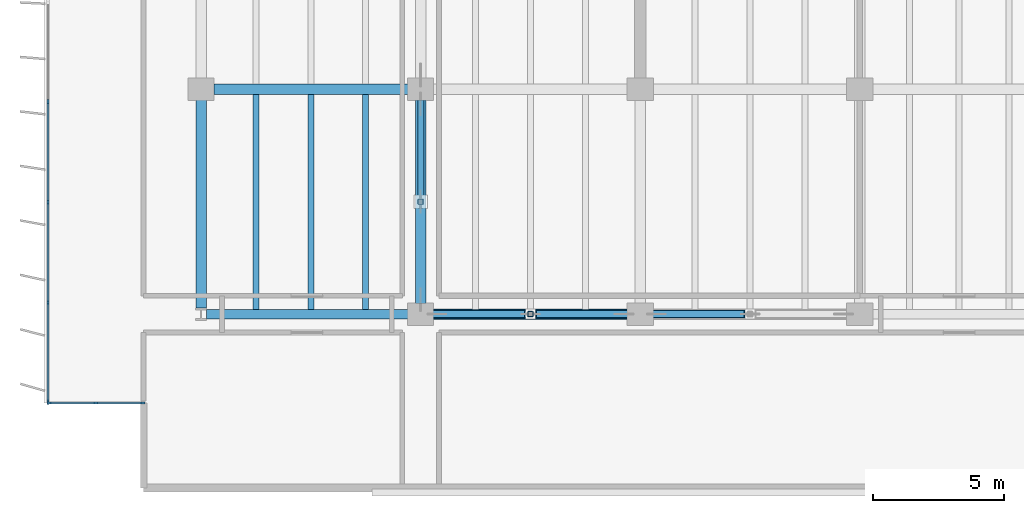
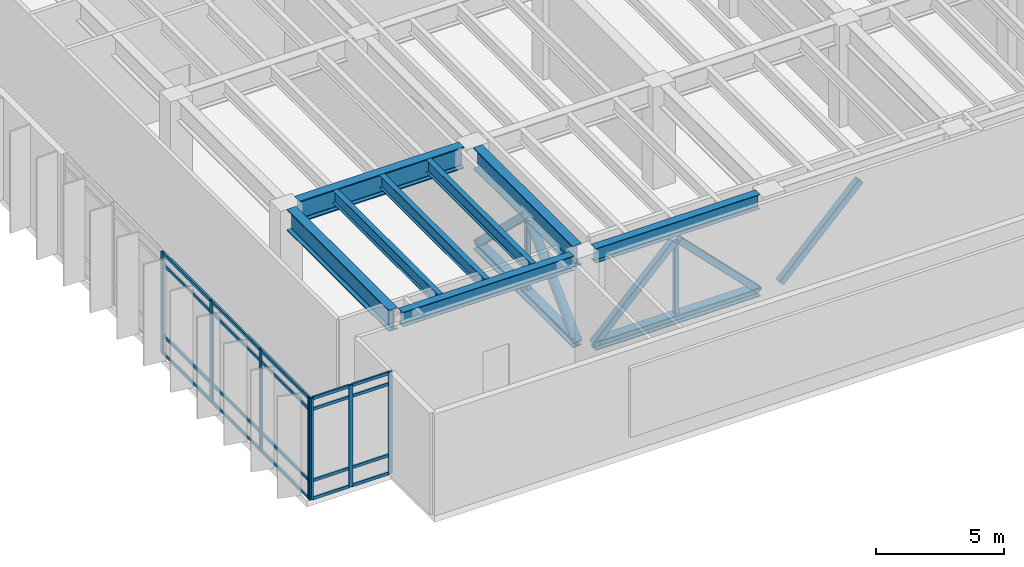
# One storey, part 2 of 18: 34 members, 10 beams, 2 elements without a shape of their own.
"""IFC4 building model written with IfcOpenShell, lengths in metres."""

from ifc_helpers import new_model, si_unit, direction, frame, origin, origin_2d, place, context, subcontext, project, spatial, rectangle, hollow_rectangle, hollow_circle, i_section, extrude, material, layer, layer_set, material_profile, profile_set, type_object, element, aggregate, save


model = new_model("IFC4")

# Units and contexts
model_context = context("Model", 3, precision=1e-05, world=origin(), true_north=direction((0.0, 1.0)))
body_context = subcontext(model_context, "Body", "Model", "MODEL_VIEW")
ifc_project = project(units=[si_unit("LENGTHUNIT", "METRE"), si_unit("AREAUNIT", "SQUARE_METRE"), si_unit("VOLUMEUNIT", "CUBIC_METRE"), si_unit("PLANEANGLEUNIT", "RADIAN"), si_unit("MASSUNIT", "GRAM", prefix="KILO")], contexts=[model_context])

# Site, building, storey
site_placement = place(None, origin())
site = spatial("IfcSite", under=ifc_project, at=site_placement, CompositionType="ELEMENT")
building_placement = place(site_placement, origin())
building = spatial("IfcBuilding", under=site, at=building_placement, Name="Caelmar Bay Residences", CompositionType="ELEMENT")
storey_placement = place(building_placement, frame((0.0, 0.0, 152.10009765625)))
storey = spatial("IfcBuildingStorey", under=building, at=storey_placement, Name="L42", CompositionType="ELEMENT", Elevation=152.10009765625)

# Beams
ifc_material_1 = material(Name="Steel ASTM A992 Grade 50", Category="steel")
ifc_material_profile_1 = material_profile(ifc_material_1, i_section(OverallWidth=0.40087890625, OverallDepth=0.39892578125, WebThickness=0.02490234375, FlangeThickness=0.03955078125, FilletRadius=0.01513671875, at=origin_2d()), Name="W14X211")
ifc_profile_set_1 = profile_set([ifc_material_profile_1], Name="Steel ASTM A992 Grade 50")
beam_type_1 = type_object("IfcBeamType", Name="BM-CHD-W14X211", PredefinedType="BEAM", material=ifc_profile_set_1)
beam_1_placement = place(storey_placement, frame((18.300048828125, 12.614990234375, 0.199462890625), z_axis=(0.0, 1.0, 0.0), x_axis=(-1.0, 0.0, 0.0)))
element("IfcBeam", 1, at=beam_1_placement, inside=storey, type_object=beam_type_1, Name="L42 Outrigger Bottom Chord 1", PredefinedType="BEAM", context=body_context, shape_type="SweptSolid", body=[
    extrude(i_section(OverallWidth=0.40087890625, OverallDepth=0.39892578125, WebThickness=0.02490234375, FlangeThickness=0.03955078125, FilletRadius=0.01513671875, at=origin_2d()), origin(), (0.0, 0.0, 1.0), 7.77001953125),
])
beam_2_placement = place(storey_placement, frame((18.7900390625, 12.199951171875, 0.199462890625), z_axis=(1.0, 0.0, 0.0), x_axis=(0.0, 1.0, 0.0)))
element("IfcBeam", 2, at=beam_2_placement, inside=storey, type_object=beam_type_1, Name="L42 Belt-Truss Bottom Chord 1", PredefinedType="BEAM", context=body_context, shape_type="SweptSolid", body=[
    extrude(i_section(OverallWidth=0.40087890625, OverallDepth=0.39892578125, WebThickness=0.02490234375, FlangeThickness=0.03955078125, FilletRadius=0.01513671875, at=origin_2d()), origin(), (0.0, 0.0, 1.0), 7.419921875),
])
ifc_material_profile_2 = material_profile(ifc_material_1, i_section(OverallWidth=0.404052734375, OverallDepth=1.02099609375, WebThickness=0.025390625, FlangeThickness=0.0458984375, FilletRadius=0.02294921875, at=origin_2d()), Name="W40X324")
ifc_profile_set_2 = profile_set([ifc_material_profile_2], Name="Steel ASTM A992 Grade 50")
beam_type_2 = type_object("IfcBeamType", Name="BM-GRD-W40X324", PredefinedType="BEAM", material=ifc_profile_set_2)
beam_3_placement = place(storey_placement, frame((10.389892578125, 20.800048828125, 4.33935546875), z_axis=(1.0, 0.0, 0.0), x_axis=(0.0, 1.0, 0.0)))
element("IfcBeam", 3, at=beam_3_placement, inside=storey, type_object=beam_type_2, Name="L42 East-West Girder Y=20.80 (9.9-18.3)", PredefinedType="BEAM", context=body_context, shape_type="SweptSolid", body=[
    extrude(i_section(OverallWidth=0.404052734375, OverallDepth=1.02099609375, WebThickness=0.025390625, FlangeThickness=0.0458984375, FilletRadius=0.02294921875, at=origin_2d()), origin(), (0.0, 0.0, 1.0), 7.420166015625),
])
beam_4_placement = place(storey_placement, frame((9.89990234375, 12.427490234375, 4.33935546875), z_axis=(0.0, 1.0, 0.0), x_axis=(-1.0, 0.0, 0.0)))
element("IfcBeam", 4, at=beam_4_placement, inside=storey, type_object=beam_type_2, Name="L42 North-South Girder X=9.90 (12.2-20.8)", PredefinedType="BEAM", context=body_context, shape_type="SweptSolid", body=[
    extrude(i_section(OverallWidth=0.404052734375, OverallDepth=1.02099609375, WebThickness=0.025390625, FlangeThickness=0.0458984375, FilletRadius=0.02294921875, at=origin_2d()), origin(), (0.0, 0.0, 1.0), 7.95751953125),
])
beam_5_placement = place(storey_placement, frame((18.300048828125, 12.614990234375, 4.33935546875), z_axis=(0.0, 1.0, 0.0), x_axis=(-1.0, 0.0, 0.0)))
element("IfcBeam", 5, at=beam_5_placement, inside=storey, type_object=beam_type_2, Name="L42 North-South Girder X=18.30 (12.2-20.8)", PredefinedType="BEAM", context=body_context, shape_type="SweptSolid", body=[
    extrude(i_section(OverallWidth=0.404052734375, OverallDepth=1.02099609375, WebThickness=0.025390625, FlangeThickness=0.0458984375, FilletRadius=0.02294921875, at=origin_2d()), origin(), (0.0, 0.0, 1.0), 7.77001953125),
])
ifc_material_profile_3 = material_profile(ifc_material_1, i_section(OverallWidth=0.22900390625, OverallDepth=0.612060546875, WebThickness=0.011962890625, FlangeThickness=0.01953125, FilletRadius=0.0126953125, at=origin_2d()), Name="W24X84")
ifc_profile_set_3 = profile_set([ifc_material_profile_3], Name="Steel ASTM A992 Grade 50")
beam_type_3 = type_object("IfcBeamType", Name="BM-JST-W24X84", PredefinedType="JOIST", material=ifc_profile_set_3)
for number, where, z_axis, x_axis, name in (
    (6, (12.0, 12.3779296875, 4.5439453125), (0.0, 1.0, 0.0), (-1.0, 0.0, 0.0), "L42 Composite Floor Joist 1"),
    (7, (14.10009765625, 12.3779296875, 4.5439453125), (0.0, 1.0, 0.0), (-1.0, 0.0, 0.0), "L42 Composite Floor Joist 2"),
    (8, (16.199951171875, 12.3779296875, 4.5439453125), (0.0, 1.0, 0.0), (-1.0, 0.0, 0.0), "L42 Composite Floor Joist 3"),
):
    element("IfcBeam", number, at=place(storey_placement, frame(where, z_axis=z_axis, x_axis=x_axis)), inside=storey, type_object=beam_type_3, Name=name, PredefinedType="JOIST", context=body_context, shape_type="SweptSolid", body=[
        extrude(i_section(OverallWidth=0.22900390625, OverallDepth=0.612060546875, WebThickness=0.011962890625, FlangeThickness=0.01953125, FilletRadius=0.0126953125, at=origin_2d()), origin(), (0.0, 0.0, 1.0), 8.219970703125),
    ])
ifc_material_profile_4 = material_profile(ifc_material_1, i_section(OverallWidth=0.35595703125, OverallDepth=0.696044921875, WebThickness=0.015380859375, FlangeThickness=0.02490234375, FilletRadius=0.01513671875, at=origin_2d()), Name="W27X146")
ifc_profile_set_4 = profile_set([ifc_material_profile_4], Name="Steel ASTM A992 Grade 50")
beam_type_4 = type_object("IfcBeamType", Name="BM-SPN-W27X146", PredefinedType="SPANDREL", material=ifc_profile_set_4)
beam_6_placement = place(storey_placement, frame((10.10205078125, 12.199951171875, 4.501953125), z_axis=(1.0, 0.0, 0.0), x_axis=(0.0, 1.0, 0.0)))
element("IfcBeam", 9, at=beam_6_placement, inside=storey, type_object=beam_type_4, Name="L42 East-West Girder Y=12.20 (9.9-18.3)", PredefinedType="SPANDREL", context=body_context, shape_type="SweptSolid", body=[
    extrude(i_section(OverallWidth=0.35595703125, OverallDepth=0.696044921875, WebThickness=0.015380859375, FlangeThickness=0.02490234375, FilletRadius=0.01513671875, at=origin_2d()), origin(), (0.0, 0.0, 1.0), 7.7080078125),
])
beam_7_placement = place(storey_placement, frame((18.7900390625, 12.199951171875, 4.501953125), z_axis=(1.0, 0.0, 0.0), x_axis=(0.0, 1.0, 0.0)))
element("IfcBeam", 10, at=beam_7_placement, inside=storey, type_object=beam_type_4, Name="L42 East-West Girder Y=12.20 (18.3-26.7)", PredefinedType="SPANDREL", context=body_context, shape_type="SweptSolid", body=[
    extrude(i_section(OverallWidth=0.35595703125, OverallDepth=0.696044921875, WebThickness=0.015380859375, FlangeThickness=0.02490234375, FilletRadius=0.01513671875, at=origin_2d()), origin(), (0.0, 0.0, 1.0), 7.419921875),
])

# Curtain wall, members
ifc_material_2 = material(Name="Anodised bronze aluminium 6063-T6 and laminated glass", Category="aluminium")
ifc_layer_1 = layer(ifc_material_2, 0.179931640625)
ifc_layer_set_1 = layer_set([ifc_layer_1], Name="Anodised bronze aluminium 6063-T6 and laminated glass")
curtain_wall_type_1 = type_object("IfcCurtainWallType", Name="CW6-NTC", PredefinedType="NOTDEFINED", material=ifc_layer_set_1)
curtain_wall_1_placement = place(storey_placement, origin())
curtain_wall_1 = element("IfcCurtainWall", 11, at=curtain_wall_1_placement, inside=storey, type_object=curtain_wall_type_1, Name="CW6 curtain wall L42", PredefinedType="NOTDEFINED")
ifc_material_3 = material(Name="Anodised bronze aluminium 6063-T6", Category="aluminium")
ifc_material_profile_5 = material_profile(ifc_material_3, rectangle(XDim=0.080078125, YDim=0.179931640625, at=origin_2d()), Name="CWM-80X180")
ifc_profile_set_5 = profile_set([ifc_material_profile_5], Name="Anodised bronze aluminium 6063-T6")
member_type_1 = type_object("IfcMemberType", Name="CWM-180", PredefinedType="MULLION", material=ifc_profile_set_5)
member_1_placement = place(storey_placement, frame((4.090087890625, 8.800048828125, 0.0), z_axis=(0.0, 0.0, 1.0), x_axis=(0.0, 1.0, 0.0)))
member_1 = element("IfcMember", 12, at=member_1_placement, type_object=member_type_1, Name="CW6 mullion 1", PredefinedType="MULLION", context=body_context, shape_type="SweptSolid", body=[
    extrude(rectangle(XDim=0.080078125, YDim=0.179931640625, at=origin_2d()), origin(), (0.0, 0.0, 1.0), 4.849853515625),
])
member_2_placement = place(storey_placement, frame((5.875, 8.800048828125, 0.0), z_axis=(0.0, 0.0, 1.0), x_axis=(0.0, 1.0, 0.0)))
member_2 = element("IfcMember", 13, at=member_2_placement, type_object=member_type_1, Name="CW6 mullion 2", PredefinedType="MULLION", context=body_context, shape_type="SweptSolid", body=[
    extrude(rectangle(XDim=0.080078125, YDim=0.179931640625, at=origin_2d()), origin(), (0.0, 0.0, 1.0), 4.849853515625),
])
member_3_placement = place(storey_placement, frame((7.659912109375, 8.800048828125, 0.0), z_axis=(0.0, 0.0, 1.0), x_axis=(0.0, 1.0, 0.0)))
member_3 = element("IfcMember", 14, at=member_3_placement, type_object=member_type_1, Name="CW6 mullion 3", PredefinedType="MULLION", context=body_context, shape_type="SweptSolid", body=[
    extrude(rectangle(XDim=0.080078125, YDim=0.179931640625, at=origin_2d()), origin(), (0.0, 0.0, 1.0), 4.849853515625),
])

ifc_layer_2 = layer(ifc_material_2, 0.179931640625)
ifc_layer_set_2 = layer_set([ifc_layer_2], Name="Anodised bronze aluminium 6063-T6 and laminated glass")
curtain_wall_type_2 = type_object("IfcCurtainWallType", Name="CW3-Z2", PredefinedType="NOTDEFINED", material=ifc_layer_set_2)
curtain_wall_2_placement = place(storey_placement, origin())
curtain_wall_2 = element("IfcCurtainWall", 15, at=curtain_wall_2_placement, inside=storey, type_object=curtain_wall_type_2, Name="CW3 curtain wall L42", PredefinedType="NOTDEFINED")
member_4_placement = place(storey_placement, frame((4.050048828125, 8.840087890625, 0.0), z_axis=(0.0, 0.0, 1.0), x_axis=(-1.0, 0.0, 0.0)))
member_4 = element("IfcMember", 16, at=member_4_placement, type_object=member_type_1, Name="CW3 mullion 1", PredefinedType="MULLION", context=body_context, shape_type="SweptSolid", body=[
    extrude(rectangle(XDim=0.080078125, YDim=0.179931640625, at=origin_2d()), origin(), (0.0, 0.0, 1.0), 4.849853515625),
])
member_5_placement = place(storey_placement, frame((4.050048828125, 12.639892578125, 0.0), z_axis=(0.0, 0.0, 1.0), x_axis=(-1.0, 0.0, 0.0)))
member_5 = element("IfcMember", 17, at=member_5_placement, type_object=member_type_1, Name="CW3 mullion 2", PredefinedType="MULLION", context=body_context, shape_type="SweptSolid", body=[
    extrude(rectangle(XDim=0.080078125, YDim=0.179931640625, at=origin_2d()), origin(), (0.0, 0.0, 1.0), 4.849853515625),
])
member_6_placement = place(storey_placement, frame((4.050048828125, 16.47998046875, 0.0), z_axis=(0.0, 0.0, 1.0), x_axis=(-1.0, 0.0, 0.0)))
member_6 = element("IfcMember", 18, at=member_6_placement, type_object=member_type_1, Name="CW3 mullion 3", PredefinedType="MULLION", context=body_context, shape_type="SweptSolid", body=[
    extrude(rectangle(XDim=0.080078125, YDim=0.179931640625, at=origin_2d()), origin(), (0.0, 0.0, 1.0), 4.849853515625),
])
member_7_placement = place(storey_placement, frame((4.050048828125, 20.320068359375, 0.0), z_axis=(0.0, 0.0, 1.0), x_axis=(-1.0, 0.0, 0.0)))
member_7 = element("IfcMember", 19, at=member_7_placement, type_object=member_type_1, Name="CW3 mullion 4", PredefinedType="MULLION", context=body_context, shape_type="SweptSolid", body=[
    extrude(rectangle(XDim=0.080078125, YDim=0.179931640625, at=origin_2d()), origin(), (0.0, 0.0, 1.0), 4.849853515625),
])

# Member
ifc_material_profile_6 = material_profile(ifc_material_3, rectangle(XDim=0.080078125, YDim=0.139892578125, at=origin_2d()), Name="CWT-80X140")
ifc_profile_set_6 = profile_set([ifc_material_profile_6], Name="Anodised bronze aluminium 6063-T6")
member_type_2 = type_object("IfcMemberType", Name="CWT-140", PredefinedType="NOTDEFINED", material=ifc_profile_set_6)
member_8_placement = place(storey_placement, frame((4.1298828125, 8.800048828125, 0.039794921875), z_axis=(1.0, 0.0, 0.0), x_axis=(0.0, 1.0, 0.0)))
member_8 = element("IfcMember", 20, at=member_8_placement, type_object=member_type_2, Name="CW6 transom 1.1", ObjectType="TRANSOM", PredefinedType="USERDEFINED", context=body_context, shape_type="SweptSolid", body=[
    extrude(rectangle(XDim=0.080078125, YDim=0.139892578125, at=origin_2d()), origin(), (0.0, 0.0, 1.0), 1.705078125),
])

member_9_placement = place(storey_placement, frame((4.1298828125, 8.800048828125, 0.89990234375), z_axis=(1.0, 0.0, 0.0), x_axis=(0.0, 1.0, 0.0)))
member_9 = element("IfcMember", 21, at=member_9_placement, type_object=member_type_2, Name="CW6 transom 1.2", ObjectType="TRANSOM", PredefinedType="USERDEFINED", context=body_context, shape_type="SweptSolid", body=[
    extrude(rectangle(XDim=0.080078125, YDim=0.139892578125, at=origin_2d()), origin(), (0.0, 0.0, 1.0), 1.705078125),
])

member_10_placement = place(storey_placement, frame((4.1298828125, 8.800048828125, 4.2998046875), z_axis=(1.0, 0.0, 0.0), x_axis=(0.0, 1.0, 0.0)))
member_10 = element("IfcMember", 22, at=member_10_placement, type_object=member_type_2, Name="CW6 transom 1.3", ObjectType="TRANSOM", PredefinedType="USERDEFINED", context=body_context, shape_type="SweptSolid", body=[
    extrude(rectangle(XDim=0.080078125, YDim=0.139892578125, at=origin_2d()), origin(), (0.0, 0.0, 1.0), 1.705078125),
])

member_11_placement = place(storey_placement, frame((4.1298828125, 8.800048828125, 4.809814453125), z_axis=(1.0, 0.0, 0.0), x_axis=(0.0, 1.0, 0.0)))
member_11 = element("IfcMember", 23, at=member_11_placement, type_object=member_type_2, Name="CW6 transom 1.4", ObjectType="TRANSOM", PredefinedType="USERDEFINED", context=body_context, shape_type="SweptSolid", body=[
    extrude(rectangle(XDim=0.080078125, YDim=0.139892578125, at=origin_2d()), origin(), (0.0, 0.0, 1.0), 1.705078125),
])

member_12_placement = place(storey_placement, frame((5.9150390625, 8.800048828125, 0.039794921875), z_axis=(1.0, 0.0, 0.0), x_axis=(0.0, 1.0, 0.0)))
member_12 = element("IfcMember", 24, at=member_12_placement, type_object=member_type_2, Name="CW6 transom 2.1", ObjectType="TRANSOM", PredefinedType="USERDEFINED", context=body_context, shape_type="SweptSolid", body=[
    extrude(rectangle(XDim=0.080078125, YDim=0.139892578125, at=origin_2d()), origin(), (0.0, 0.0, 1.0), 1.705078125),
])

member_13_placement = place(storey_placement, frame((5.9150390625, 8.800048828125, 0.89990234375), z_axis=(1.0, 0.0, 0.0), x_axis=(0.0, 1.0, 0.0)))
member_13 = element("IfcMember", 25, at=member_13_placement, type_object=member_type_2, Name="CW6 transom 2.2", ObjectType="TRANSOM", PredefinedType="USERDEFINED", context=body_context, shape_type="SweptSolid", body=[
    extrude(rectangle(XDim=0.080078125, YDim=0.139892578125, at=origin_2d()), origin(), (0.0, 0.0, 1.0), 1.705078125),
])

member_14_placement = place(storey_placement, frame((5.9150390625, 8.800048828125, 4.2998046875), z_axis=(1.0, 0.0, 0.0), x_axis=(0.0, 1.0, 0.0)))
member_14 = element("IfcMember", 26, at=member_14_placement, type_object=member_type_2, Name="CW6 transom 2.3", ObjectType="TRANSOM", PredefinedType="USERDEFINED", context=body_context, shape_type="SweptSolid", body=[
    extrude(rectangle(XDim=0.080078125, YDim=0.139892578125, at=origin_2d()), origin(), (0.0, 0.0, 1.0), 1.705078125),
])

member_15_placement = place(storey_placement, frame((5.9150390625, 8.800048828125, 4.809814453125), z_axis=(1.0, 0.0, 0.0), x_axis=(0.0, 1.0, 0.0)))
member_15 = element("IfcMember", 27, at=member_15_placement, type_object=member_type_2, Name="CW6 transom 2.4", ObjectType="TRANSOM", PredefinedType="USERDEFINED", context=body_context, shape_type="SweptSolid", body=[
    extrude(rectangle(XDim=0.080078125, YDim=0.139892578125, at=origin_2d()), origin(), (0.0, 0.0, 1.0), 1.705078125),
])

aggregate(curtain_wall_1, [member_1, member_2, member_3, member_8, member_9, member_10, member_11, member_12, member_13, member_14, member_15])

member_16_placement = place(storey_placement, frame((4.050048828125, 8.8798828125, 0.039794921875), z_axis=(0.0, 1.0, 0.0), x_axis=(-1.0, 0.0, 0.0)))
member_16 = element("IfcMember", 28, at=member_16_placement, type_object=member_type_2, Name="CW3 transom 1.1", ObjectType="TRANSOM", PredefinedType="USERDEFINED", context=body_context, shape_type="SweptSolid", body=[
    extrude(rectangle(XDim=0.080078125, YDim=0.139892578125, at=origin_2d()), origin(), (0.0, 0.0, 1.0), 3.72021484375),
])

member_17_placement = place(storey_placement, frame((4.050048828125, 8.8798828125, 0.89990234375), z_axis=(0.0, 1.0, 0.0), x_axis=(-1.0, 0.0, 0.0)))
member_17 = element("IfcMember", 29, at=member_17_placement, type_object=member_type_2, Name="CW3 transom 1.2", ObjectType="TRANSOM", PredefinedType="USERDEFINED", context=body_context, shape_type="SweptSolid", body=[
    extrude(rectangle(XDim=0.080078125, YDim=0.139892578125, at=origin_2d()), origin(), (0.0, 0.0, 1.0), 3.72021484375),
])

member_18_placement = place(storey_placement, frame((4.050048828125, 8.8798828125, 4.2998046875), z_axis=(0.0, 1.0, 0.0), x_axis=(-1.0, 0.0, 0.0)))
member_18 = element("IfcMember", 30, at=member_18_placement, type_object=member_type_2, Name="CW3 transom 1.3", ObjectType="TRANSOM", PredefinedType="USERDEFINED", context=body_context, shape_type="SweptSolid", body=[
    extrude(rectangle(XDim=0.080078125, YDim=0.139892578125, at=origin_2d()), origin(), (0.0, 0.0, 1.0), 3.72021484375),
])

member_19_placement = place(storey_placement, frame((4.050048828125, 8.8798828125, 4.809814453125), z_axis=(0.0, 1.0, 0.0), x_axis=(-1.0, 0.0, 0.0)))
member_19 = element("IfcMember", 31, at=member_19_placement, type_object=member_type_2, Name="CW3 transom 1.4", ObjectType="TRANSOM", PredefinedType="USERDEFINED", context=body_context, shape_type="SweptSolid", body=[
    extrude(rectangle(XDim=0.080078125, YDim=0.139892578125, at=origin_2d()), origin(), (0.0, 0.0, 1.0), 3.72021484375),
])

member_20_placement = place(storey_placement, frame((4.050048828125, 12.679931640625, 0.039794921875), z_axis=(0.0, 1.0, 0.0), x_axis=(-1.0, 0.0, 0.0)))
member_20 = element("IfcMember", 32, at=member_20_placement, type_object=member_type_2, Name="CW3 transom 2.1", ObjectType="TRANSOM", PredefinedType="USERDEFINED", context=body_context, shape_type="SweptSolid", body=[
    extrude(rectangle(XDim=0.080078125, YDim=0.139892578125, at=origin_2d()), origin(), (0.0, 0.0, 1.0), 3.760009765625),
])

member_21_placement = place(storey_placement, frame((4.050048828125, 12.679931640625, 0.89990234375), z_axis=(0.0, 1.0, 0.0), x_axis=(-1.0, 0.0, 0.0)))
member_21 = element("IfcMember", 33, at=member_21_placement, type_object=member_type_2, Name="CW3 transom 2.2", ObjectType="TRANSOM", PredefinedType="USERDEFINED", context=body_context, shape_type="SweptSolid", body=[
    extrude(rectangle(XDim=0.080078125, YDim=0.139892578125, at=origin_2d()), origin(), (0.0, 0.0, 1.0), 3.760009765625),
])

member_22_placement = place(storey_placement, frame((4.050048828125, 12.679931640625, 4.2998046875), z_axis=(0.0, 1.0, 0.0), x_axis=(-1.0, 0.0, 0.0)))
member_22 = element("IfcMember", 34, at=member_22_placement, type_object=member_type_2, Name="CW3 transom 2.3", ObjectType="TRANSOM", PredefinedType="USERDEFINED", context=body_context, shape_type="SweptSolid", body=[
    extrude(rectangle(XDim=0.080078125, YDim=0.139892578125, at=origin_2d()), origin(), (0.0, 0.0, 1.0), 3.760009765625),
])

member_23_placement = place(storey_placement, frame((4.050048828125, 12.679931640625, 4.809814453125), z_axis=(0.0, 1.0, 0.0), x_axis=(-1.0, 0.0, 0.0)))
member_23 = element("IfcMember", 35, at=member_23_placement, type_object=member_type_2, Name="CW3 transom 2.4", ObjectType="TRANSOM", PredefinedType="USERDEFINED", context=body_context, shape_type="SweptSolid", body=[
    extrude(rectangle(XDim=0.080078125, YDim=0.139892578125, at=origin_2d()), origin(), (0.0, 0.0, 1.0), 3.760009765625),
])

member_24_placement = place(storey_placement, frame((4.050048828125, 16.52001953125, 0.039794921875), z_axis=(0.0, 1.0, 0.0), x_axis=(-1.0, 0.0, 0.0)))
member_24 = element("IfcMember", 36, at=member_24_placement, type_object=member_type_2, Name="CW3 transom 3.1", ObjectType="TRANSOM", PredefinedType="USERDEFINED", context=body_context, shape_type="SweptSolid", body=[
    extrude(rectangle(XDim=0.080078125, YDim=0.139892578125, at=origin_2d()), origin(), (0.0, 0.0, 1.0), 3.760009765625),
])

member_25_placement = place(storey_placement, frame((4.050048828125, 16.52001953125, 0.89990234375), z_axis=(0.0, 1.0, 0.0), x_axis=(-1.0, 0.0, 0.0)))
member_25 = element("IfcMember", 37, at=member_25_placement, type_object=member_type_2, Name="CW3 transom 3.2", ObjectType="TRANSOM", PredefinedType="USERDEFINED", context=body_context, shape_type="SweptSolid", body=[
    extrude(rectangle(XDim=0.080078125, YDim=0.139892578125, at=origin_2d()), origin(), (0.0, 0.0, 1.0), 3.760009765625),
])

member_26_placement = place(storey_placement, frame((4.050048828125, 16.52001953125, 4.2998046875), z_axis=(0.0, 1.0, 0.0), x_axis=(-1.0, 0.0, 0.0)))
member_26 = element("IfcMember", 38, at=member_26_placement, type_object=member_type_2, Name="CW3 transom 3.3", ObjectType="TRANSOM", PredefinedType="USERDEFINED", context=body_context, shape_type="SweptSolid", body=[
    extrude(rectangle(XDim=0.080078125, YDim=0.139892578125, at=origin_2d()), origin(), (0.0, 0.0, 1.0), 3.760009765625),
])

member_27_placement = place(storey_placement, frame((4.050048828125, 16.52001953125, 4.809814453125), z_axis=(0.0, 1.0, 0.0), x_axis=(-1.0, 0.0, 0.0)))
member_27 = element("IfcMember", 39, at=member_27_placement, type_object=member_type_2, Name="CW3 transom 3.4", ObjectType="TRANSOM", PredefinedType="USERDEFINED", context=body_context, shape_type="SweptSolid", body=[
    extrude(rectangle(XDim=0.080078125, YDim=0.139892578125, at=origin_2d()), origin(), (0.0, 0.0, 1.0), 3.760009765625),
])

aggregate(curtain_wall_2, [member_4, member_5, member_6, member_7, member_16, member_17, member_18, member_19, member_20, member_21, member_22, member_23, member_24, member_25, member_26, member_27])

# Members
ifc_material_4 = material(Name="Steel ASTM A500 Grade C", Category="steel")
ifc_material_profile_7 = material_profile(ifc_material_4, hollow_rectangle(XDim=0.304931640625, YDim=0.304931640625, WallThickness=0.014892578125, InnerFilletRadius=0.014892578125, OuterFilletRadius=0.029541015625, at=origin_2d()), Name="HSS300X300X15.9")
ifc_profile_set_7 = profile_set([ifc_material_profile_7], Name="Steel ASTM A500 Grade C")
member_type_3 = type_object("IfcMemberType", Name="MEM-BRC-HSS300", PredefinedType="BRACE", material=ifc_profile_set_7)
for number, where, z_axis, x_axis, name in (
    (40, (18.7900390625, 12.199951171875, 0.219970703125), (0.703748572308, 0.0, 0.710449116386), (0.0, 1.0, 0.0), "L42 Belt-Truss Chevron 1A"),
    (41, (26.2099609375, 12.199951171875, 0.219970703125), (-0.703748572308, 0.0, 0.710449116386), (0.0, -1.0, 0.0), "L42 Belt-Truss Chevron 1B"),
):
    element("IfcMember", number, at=place(storey_placement, frame(where, z_axis=z_axis, x_axis=x_axis)), inside=storey, type_object=member_type_3, Name=name, PredefinedType="BRACE", context=body_context, shape_type="SweptSolid", body=[
        extrude(hollow_rectangle(XDim=0.304931640625, YDim=0.304931640625, WallThickness=0.014892578125, InnerFilletRadius=0.014892578125, OuterFilletRadius=0.029541015625, at=origin_2d()), origin(), (0.0, 0.0, 1.0), 5.10107421875),
    ])
member_28_placement = place(storey_placement, frame((27.18994140625, 12.199951171875, 0.219970703125), z_axis=(0.703772728365, 0.0, 0.710425187341), x_axis=(0.0, 1.0, 0.0)))
element("IfcMember", 42, at=member_28_placement, inside=storey, type_object=member_type_3, Name="L42 Belt-Truss Chevron 2A", PredefinedType="BRACE", context=body_context, shape_type="SweptSolid", body=[
    extrude(hollow_rectangle(XDim=0.304931640625, YDim=0.304931640625, WallThickness=0.014892578125, InnerFilletRadius=0.014892578125, OuterFilletRadius=0.029541015625, at=origin_2d()), origin(), (0.0, 0.0, 1.0), 5.101318359375),
])
ifc_material_profile_8 = material_profile(ifc_material_4, hollow_rectangle(XDim=0.25390625, YDim=0.35595703125, WallThickness=0.014892578125, InnerFilletRadius=0.014892578125, OuterFilletRadius=0.029541015625, at=origin_2d()), Name="HSS350X250X15.9")
ifc_profile_set_8 = profile_set([ifc_material_profile_8], Name="Steel ASTM A500 Grade C")
member_type_4 = type_object("IfcMemberType", Name="MEM-BRC-HSS350X250", PredefinedType="BRACE", material=ifc_profile_set_8)
member_29_placement = place(storey_placement, frame((18.300048828125, 20.385009765625, 0.219970703125), z_axis=(0.0, -0.720456799152, 0.693499820155), x_axis=(1.0, 0.0, 0.0)))
element("IfcMember", 43, at=member_29_placement, inside=storey, type_object=member_type_4, Name="L42 Outrigger Secondary Diagonal 1B", PredefinedType="BRACE", context=body_context, shape_type="SweptSolid", body=[
    extrude(hollow_rectangle(XDim=0.25390625, YDim=0.35595703125, WallThickness=0.014892578125, InnerFilletRadius=0.014892578125, OuterFilletRadius=0.029541015625, at=origin_2d()), origin(), (0.0, 0.0, 1.0), 5.2255859375),
])
ifc_material_profile_9 = material_profile(ifc_material_4, hollow_circle(Radius=0.202880859375, WallThickness=0.020751953125, at=origin_2d()), Name="CHS406X22.2")
ifc_profile_set_9 = profile_set([ifc_material_profile_9], Name="Steel ASTM A500 Grade C")
member_type_5 = type_object("IfcMemberType", Name="MEM-OUT-CHS406", PredefinedType="BRACE", material=ifc_profile_set_9)
member_30_placement = place(storey_placement, frame((18.300048828125, 12.614990234375, 0.219970703125), z_axis=(0.0, 0.720456799152, 0.693499820155), x_axis=(-1.0, 0.0, 0.0)))
element("IfcMember", 44, at=member_30_placement, inside=storey, type_object=member_type_5, Name="L42 Outrigger Diagonal 1A", PredefinedType="BRACE", context=body_context, shape_type="SweptSolid", body=[
    extrude(hollow_circle(Radius=0.202880859375, WallThickness=0.020751953125, at=origin_2d()), origin(), (0.0, 0.0, 1.0), 5.2255859375),
])
ifc_material_profile_10 = material_profile(ifc_material_4, hollow_rectangle(XDim=0.202880859375, YDim=0.202880859375, WallThickness=0.01171875, InnerFilletRadius=0.01171875, OuterFilletRadius=0.023681640625, at=origin_2d()), Name="HSS200X200X12.7")
ifc_profile_set_10 = profile_set([ifc_material_profile_10], Name="Steel ASTM A500 Grade C")
member_type_6 = type_object("IfcMemberType", Name="MEM-PST-HSS200", PredefinedType="POST", material=ifc_profile_set_10)
for number, where, z_axis, x_axis, name in (
    (45, (18.300048828125, 16.5, 0.39892578125), (0.0, 0.0, 1.0), (1.0, 0.0, 0.0), "L42 Outrigger Web Post 1"),
    (46, (22.5, 12.199951171875, 0.39892578125), (0.0, 0.0, 1.0), (1.0, 0.0, 0.0), "L42 Belt-Truss Vertical Post 1"),
):
    element("IfcMember", number, at=place(storey_placement, frame(where, z_axis=z_axis, x_axis=x_axis)), inside=storey, type_object=member_type_6, Name=name, PredefinedType="POST", context=body_context, shape_type="SweptSolid", body=[
        extrude(hollow_rectangle(XDim=0.202880859375, YDim=0.202880859375, WallThickness=0.01171875, InnerFilletRadius=0.01171875, OuterFilletRadius=0.023681640625, at=origin_2d()), origin(), (0.0, 0.0, 1.0), 3.445068359375),
    ])

save(model, "model.ifc")
